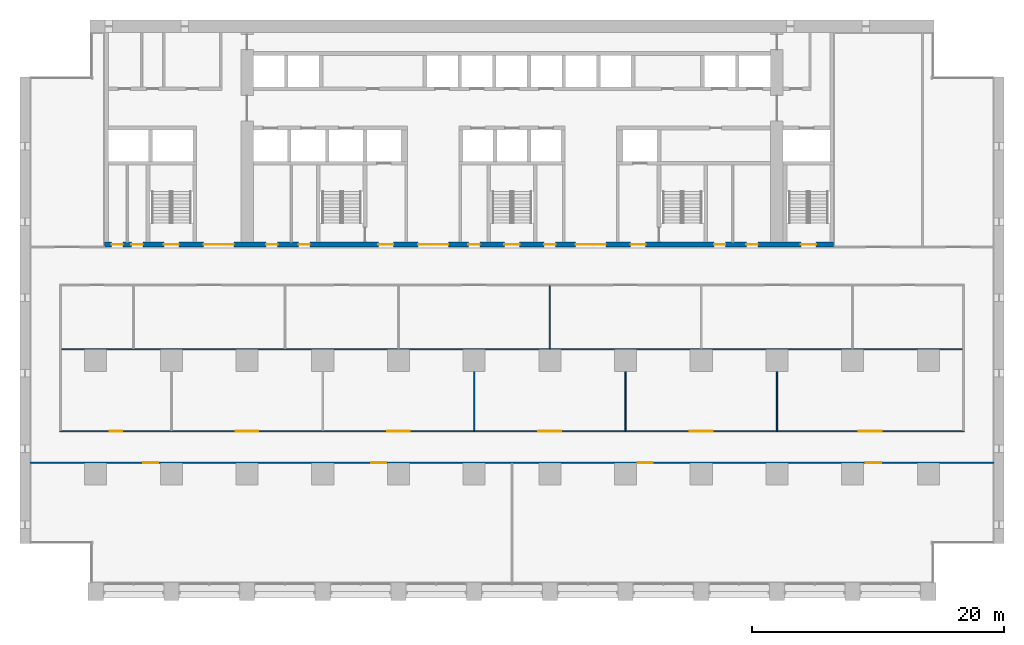
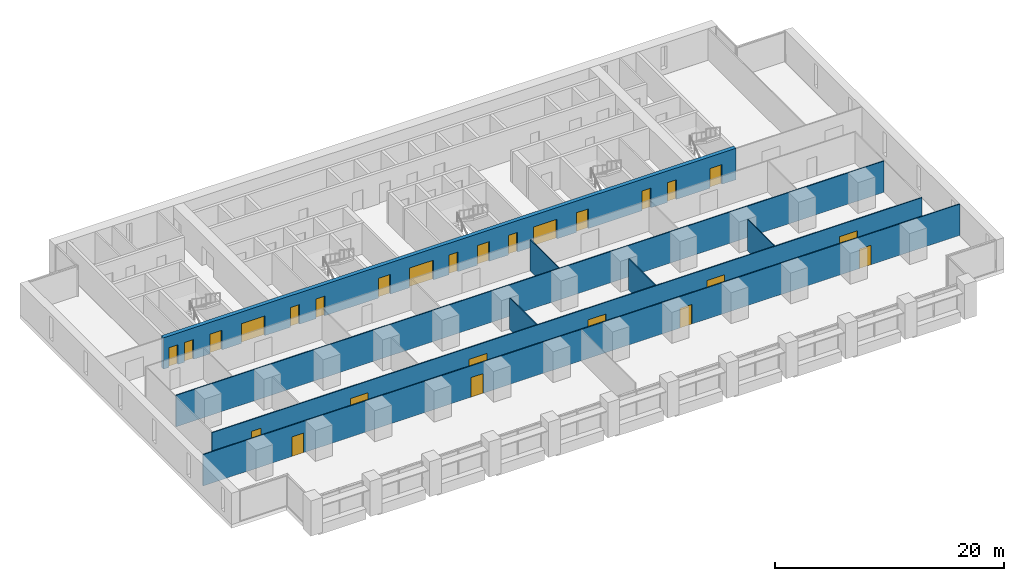
# One storey, part 9 of 18: 26 doors, 8 walls, 26 openings.
"""IFC4 building model written with IfcOpenShell, lengths in metres."""

from ifc_helpers import new_model, si_unit, direction, frame, frame_2d, origin, place, context, subcontext, project, spatial, rectangle, extrude, material, layer, layer_set, type_object, element, fill, save


model = new_model("IFC4")

# Units and contexts
model_context = context("Model", 3, precision=1e-05, world=origin(), true_north=direction((0.0, 1.0)))
body_context = subcontext(model_context, "Body", "Model", "MODEL_VIEW")
ifc_project = project(units=[si_unit("LENGTHUNIT", "METRE"), si_unit("AREAUNIT", "SQUARE_METRE"), si_unit("VOLUMEUNIT", "CUBIC_METRE"), si_unit("PLANEANGLEUNIT", "RADIAN"), si_unit("MASSUNIT", "GRAM", prefix="KILO")], contexts=[model_context])

# Site, building, storey
site_placement = place(None, origin())
site = spatial("IfcSite", under=ifc_project, at=site_placement, CompositionType="ELEMENT")
building_placement = place(site_placement, origin())
building = spatial("IfcBuilding", under=site, at=building_placement, Name="Calvaro Tower", CompositionType="ELEMENT")
storey_placement = place(building_placement, frame((0.0, 0.0, 41.25)))
storey = spatial("IfcBuildingStorey", under=building, at=storey_placement, Name="L09", CompositionType="ELEMENT", Elevation=41.25)

# Wall, openings, doors
ifc_material_1 = material(Name="Concrete C80/95", Category="concrete")
ifc_layer_1 = layer(ifc_material_1, 0.39990234375)
ifc_layer_set_1 = layer_set([ifc_layer_1], Name="Concrete C80/95")
wall_type_1 = type_object("IfcWallType", Name="Core wall C80/95 400", PredefinedType="SHEAR", material=ifc_layer_set_1)
wall_1_placement = place(storey_placement, frame((6.699951171875, 28.199951171875, 0.0), z_axis=(0.0, 0.0, 1.0), x_axis=(1.0, 0.0, 0.0)))
wall_1 = element("IfcWall", 1, at=wall_1_placement, inside=storey, type_object=wall_type_1, Name="Core wall, front", PredefinedType="SHEAR", context=body_context, shape_type="SweptSolid", body=[
    extrude(rectangle(XDim=57.800048828125, YDim=0.39990234375, at=frame_2d((28.89990234375, 0.0))), origin(), (0.0, 0.0, 1.0), 3.35009765625),
])
opening_1_placement = place(wall_1_placement, frame((12.8125, 0.0, 0.0)))
opening_1 = element("IfcOpeningElement", 2, at=opening_1_placement, cuts=wall_1, Name="Opening RD9E", PredefinedType="OPENING", context=body_context, shape_type="SweptSolid", body=[
    extrude(rectangle(XDim=0.89990234375, YDim=2.10009765625, at=frame_2d((0.449951171875, 1.050048828125))), frame((0.0, 0.2099609375, 0.0), z_axis=(0.0, -1.0, 0.0), x_axis=(1.0, 0.0, 0.0)), (0.0, 0.0, 1.0), 0.419921875),
])
opening_2_placement = place(wall_1_placement, frame((15.387451171875, 0.0, 0.0)))
opening_2 = element("IfcOpeningElement", 3, at=opening_2_placement, cuts=wall_1, Name="Opening RD9E", PredefinedType="OPENING", context=body_context, shape_type="SweptSolid", body=[
    extrude(rectangle(XDim=0.89990234375, YDim=2.10009765625, at=frame_2d((0.449951171875, 1.050048828125))), frame((0.0, 0.2099609375, 0.0), z_axis=(0.0, -1.0, 0.0), x_axis=(1.0, 0.0, 0.0)), (0.0, 0.0, 1.0), 0.419921875),
])
opening_3_placement = place(wall_1_placement, frame((48.3125, 0.0, 0.0)))
opening_3 = element("IfcOpeningElement", 4, at=opening_3_placement, cuts=wall_1, Name="Opening RD9E", PredefinedType="OPENING", context=body_context, shape_type="SweptSolid", body=[
    extrude(rectangle(XDim=0.89990234375, YDim=2.10009765625, at=frame_2d((0.449951171875, 1.050048828125))), frame((0.0, 0.2099609375, 0.0), z_axis=(0.0, -1.0, 0.0), x_axis=(1.0, 0.0, 0.0)), (0.0, 0.0, 1.0), 0.419921875),
])
opening_4_placement = place(wall_1_placement, frame((50.887451171875, 0.0, 0.0)))
opening_4 = element("IfcOpeningElement", 5, at=opening_4_placement, cuts=wall_1, Name="Opening RD9E", PredefinedType="OPENING", context=body_context, shape_type="SweptSolid", body=[
    extrude(rectangle(XDim=0.89990234375, YDim=2.10009765625, at=frame_2d((0.449951171875, 1.050048828125))), frame((0.0, 0.2099609375, 0.0), z_axis=(0.0, -1.0, 0.0), x_axis=(1.0, 0.0, 0.0)), (0.0, 0.0, 1.0), 0.419921875),
])
opening_5_placement = place(wall_1_placement, frame((0.5625, 0.0, 0.0)))
opening_5 = element("IfcOpeningElement", 6, at=opening_5_placement, cuts=wall_1, Name="Opening RD9E", PredefinedType="OPENING", context=body_context, shape_type="SweptSolid", body=[
    extrude(rectangle(XDim=0.89990234375, YDim=2.10009765625, at=frame_2d((0.449951171875, 1.050048828125))), frame((0.0, 0.2099609375, 0.0), z_axis=(0.0, -1.0, 0.0), x_axis=(1.0, 0.0, 0.0)), (0.0, 0.0, 1.0), 0.419921875),
])
opening_6_placement = place(wall_1_placement, frame((2.137451171875, 0.0, 0.0)))
opening_6 = element("IfcOpeningElement", 7, at=opening_6_placement, cuts=wall_1, Name="Opening RD9C", PredefinedType="OPENING", context=body_context, shape_type="SweptSolid", body=[
    extrude(rectangle(XDim=0.89990234375, YDim=2.10009765625, at=frame_2d((0.449951171875, 1.050048828125))), frame((0.0, 0.2099609375, 0.0), z_axis=(0.0, -1.0, 0.0), x_axis=(1.0, 0.0, 0.0)), (0.0, 0.0, 1.0), 0.419921875),
])
opening_7_placement = place(wall_1_placement, frame((4.699951171875, 0.0, 0.0)))
opening_7 = element("IfcOpeningElement", 8, at=opening_7_placement, cuts=wall_1, Name="Opening SD12D", PredefinedType="OPENING", context=body_context, shape_type="SweptSolid", body=[
    extrude(rectangle(XDim=1.199951171875, YDim=2.10009765625, at=frame_2d((0.60009765625, 1.050048828125))), frame((0.0, 0.2099609375, 0.0), z_axis=(0.0, -1.0, 0.0), x_axis=(1.0, 0.0, 0.0)), (0.0, 0.0, 1.0), 0.419921875),
])
opening_8_placement = place(wall_1_placement, frame((31.699951171875, 0.0, 0.0)))
opening_8 = element("IfcOpeningElement", 9, at=opening_8_placement, cuts=wall_1, Name="Opening SD12D", PredefinedType="OPENING", context=body_context, shape_type="SweptSolid", body=[
    extrude(rectangle(XDim=1.199951171875, YDim=2.10009765625, at=frame_2d((0.60009765625, 1.050048828125))), frame((0.0, 0.2099609375, 0.0), z_axis=(0.0, -1.0, 0.0), x_axis=(1.0, 0.0, 0.0)), (0.0, 0.0, 1.0), 0.419921875),
])
opening_9_placement = place(wall_1_placement, frame((55.199951171875, 0.0, 0.0)))
opening_9 = element("IfcOpeningElement", 10, at=opening_9_placement, cuts=wall_1, Name="Opening SD12D", PredefinedType="OPENING", context=body_context, shape_type="SweptSolid", body=[
    extrude(rectangle(XDim=1.199951171875, YDim=2.10009765625, at=frame_2d((0.60009765625, 1.050048828125))), frame((0.0, 0.2099609375, 0.0), z_axis=(0.0, -1.0, 0.0), x_axis=(1.0, 0.0, 0.0)), (0.0, 0.0, 1.0), 0.419921875),
])
opening_10_placement = place(wall_1_placement, frame((21.699951171875, 0.0, 0.0)))
opening_10 = element("IfcOpeningElement", 11, at=opening_10_placement, cuts=wall_1, Name="Opening FD12F", PredefinedType="OPENING", context=body_context, shape_type="SweptSolid", body=[
    extrude(rectangle(XDim=1.199951171875, YDim=2.10009765625, at=frame_2d((0.60009765625, 1.050048828125))), frame((0.0, 0.2099609375, 0.0), z_axis=(0.0, -1.0, 0.0), x_axis=(1.0, 0.0, 0.0)), (0.0, 0.0, 1.0), 0.419921875),
])
opening_11_placement = place(wall_1_placement, frame((41.699951171875, 0.0, 0.0)))
opening_11 = element("IfcOpeningElement", 12, at=opening_11_placement, cuts=wall_1, Name="Opening FD12F", PredefinedType="OPENING", context=body_context, shape_type="SweptSolid", body=[
    extrude(rectangle(XDim=1.199951171875, YDim=2.10009765625, at=frame_2d((0.60009765625, 1.050048828125))), frame((0.0, 0.2099609375, 0.0), z_axis=(0.0, -1.0, 0.0), x_axis=(1.0, 0.0, 0.0)), (0.0, 0.0, 1.0), 0.419921875),
])
opening_12_placement = place(wall_1_placement, frame((24.85009765625, 0.0, 0.0)))
opening_12 = element("IfcOpeningElement", 13, at=opening_12_placement, cuts=wall_1, Name="Opening DD24D", PredefinedType="OPENING", context=body_context, shape_type="SweptSolid", body=[
    extrude(rectangle(XDim=2.39990234375, YDim=2.10009765625, at=frame_2d((1.199951171875, 1.050048828125))), frame((0.0, 0.2099609375, 0.0), z_axis=(0.0, -1.0, 0.0), x_axis=(1.0, 0.0, 0.0)), (0.0, 0.0, 1.0), 0.419921875),
])
opening_13_placement = place(wall_1_placement, frame((37.35009765625, 0.0, 0.0)))
opening_13 = element("IfcOpeningElement", 14, at=opening_13_placement, cuts=wall_1, Name="Opening DD24D", PredefinedType="OPENING", context=body_context, shape_type="SweptSolid", body=[
    extrude(rectangle(XDim=2.39990234375, YDim=2.10009765625, at=frame_2d((1.199951171875, 1.050048828125))), frame((0.0, 0.2099609375, 0.0), z_axis=(0.0, -1.0, 0.0), x_axis=(1.0, 0.0, 0.0)), (0.0, 0.0, 1.0), 0.419921875),
])
opening_14_placement = place(wall_1_placement, frame((7.85009765625, 0.0, 0.0)))
opening_14 = element("IfcOpeningElement", 15, at=opening_14_placement, cuts=wall_1, Name="Opening DD24D", PredefinedType="OPENING", context=body_context, shape_type="SweptSolid", body=[
    extrude(rectangle(XDim=2.39990234375, YDim=2.10009765625, at=frame_2d((1.199951171875, 1.050048828125))), frame((0.0, 0.2099609375, 0.0), z_axis=(0.0, -1.0, 0.0), x_axis=(1.0, 0.0, 0.0)), (0.0, 0.0, 1.0), 0.419921875),
])
opening_15_placement = place(wall_1_placement, frame((28.85009765625, 0.0, 0.0)))
opening_15 = element("IfcOpeningElement", 16, at=opening_15_placement, cuts=wall_1, Name="Opening RD9E", PredefinedType="OPENING", context=body_context, shape_type="SweptSolid", body=[
    extrude(rectangle(XDim=0.89990234375, YDim=2.10009765625, at=frame_2d((0.449951171875, 1.050048828125))), frame((0.0, 0.2099609375, 0.0), z_axis=(0.0, -1.0, 0.0), x_axis=(1.0, 0.0, 0.0)), (0.0, 0.0, 1.0), 0.419921875),
])
opening_16_placement = place(wall_1_placement, frame((34.85009765625, 0.0, 0.0)))
opening_16 = element("IfcOpeningElement", 17, at=opening_16_placement, cuts=wall_1, Name="Opening RD9E", PredefinedType="OPENING", context=body_context, shape_type="SweptSolid", body=[
    extrude(rectangle(XDim=0.89990234375, YDim=2.10009765625, at=frame_2d((0.449951171875, 1.050048828125))), frame((0.0, 0.2099609375, 0.0), z_axis=(0.0, -1.0, 0.0), x_axis=(1.0, 0.0, 0.0)), (0.0, 0.0, 1.0), 0.419921875),
])
ifc_material_2 = material(Name="Steel door set", Category="steel")
door_type_1 = type_object("IfcDoorType", Name="Fire door 1200 FD60S", OperationType="SINGLE_SWING_LEFT", PredefinedType="DOOR", material=ifc_material_2)
door_1_placement = place(opening_10_placement, origin())
door_1 = element("IfcDoor", 18, at=door_1_placement, inside=storey, type_object=door_type_1, Name="Fire door", OperationType="SINGLE_SWING_LEFT", OverallHeight=2.10009765625, OverallWidth=1.199951171875, PredefinedType="DOOR", context=body_context, shape_type="SweptSolid", body=[
    extrude(rectangle(XDim=1.199951171875, YDim=2.10009765625, at=frame_2d((0.60009765625, 1.050048828125))), frame((0.0, 0.02490234375, 0.0), z_axis=(0.0, -1.0, 0.0), x_axis=(1.0, 0.0, 0.0)), (0.0, 0.0, 1.0), 0.050048828125),
])
fill(opening_10, door_1)
door_2_placement = place(opening_11_placement, origin())
door_2 = element("IfcDoor", 19, at=door_2_placement, inside=storey, type_object=door_type_1, Name="Fire door", OperationType="SINGLE_SWING_LEFT", OverallHeight=2.10009765625, OverallWidth=1.199951171875, PredefinedType="DOOR", context=body_context, shape_type="SweptSolid", body=[
    extrude(rectangle(XDim=1.199951171875, YDim=2.10009765625, at=frame_2d((0.60009765625, 1.050048828125))), frame((0.0, 0.02490234375, 0.0), z_axis=(0.0, -1.0, 0.0), x_axis=(1.0, 0.0, 0.0)), (0.0, 0.0, 1.0), 0.050048828125),
])
fill(opening_11, door_2)
ifc_material_3 = material(Name="Steel door set", Category="steel")
door_type_2 = type_object("IfcDoorType", Name="Lobby double door 2400 FD30S", OperationType="DOUBLE_DOOR_SINGLE_SWING", PredefinedType="DOOR", material=ifc_material_3)
door_3_placement = place(opening_12_placement, origin())
door_3 = element("IfcDoor", 20, at=door_3_placement, inside=storey, type_object=door_type_2, Name="Lobby double door", OperationType="DOUBLE_DOOR_SINGLE_SWING", OverallHeight=2.10009765625, OverallWidth=2.39990234375, PredefinedType="DOOR", context=body_context, shape_type="SweptSolid", body=[
    extrude(rectangle(XDim=2.39990234375, YDim=2.10009765625, at=frame_2d((1.199951171875, 1.050048828125))), frame((0.0, 0.02490234375, 0.0), z_axis=(0.0, -1.0, 0.0), x_axis=(1.0, 0.0, 0.0)), (0.0, 0.0, 1.0), 0.050048828125),
])
fill(opening_12, door_3)
door_4_placement = place(opening_13_placement, origin())
door_4 = element("IfcDoor", 21, at=door_4_placement, inside=storey, type_object=door_type_2, Name="Lobby double door", OperationType="DOUBLE_DOOR_SINGLE_SWING", OverallHeight=2.10009765625, OverallWidth=2.39990234375, PredefinedType="DOOR", context=body_context, shape_type="SweptSolid", body=[
    extrude(rectangle(XDim=2.39990234375, YDim=2.10009765625, at=frame_2d((1.199951171875, 1.050048828125))), frame((0.0, 0.02490234375, 0.0), z_axis=(0.0, -1.0, 0.0), x_axis=(1.0, 0.0, 0.0)), (0.0, 0.0, 1.0), 0.050048828125),
])
fill(opening_13, door_4)
door_5_placement = place(opening_14_placement, origin())
door_5 = element("IfcDoor", 22, at=door_5_placement, inside=storey, type_object=door_type_2, Name="Lobby double door", OperationType="DOUBLE_DOOR_SINGLE_SWING", OverallHeight=2.10009765625, OverallWidth=2.39990234375, PredefinedType="DOOR", context=body_context, shape_type="SweptSolid", body=[
    extrude(rectangle(XDim=2.39990234375, YDim=2.10009765625, at=frame_2d((1.199951171875, 1.050048828125))), frame((0.0, 0.02490234375, 0.0), z_axis=(0.0, -1.0, 0.0), x_axis=(1.0, 0.0, 0.0)), (0.0, 0.0, 1.0), 0.050048828125),
])
fill(opening_14, door_5)
ifc_material_4 = material(Name="Steel door set", Category="steel")
door_type_3 = type_object("IfcDoorType", Name="Room door 900 FD30", OperationType="SINGLE_SWING_LEFT", PredefinedType="DOOR", material=ifc_material_4)
door_6_placement = place(opening_6_placement, origin())
door_6 = element("IfcDoor", 23, at=door_6_placement, inside=storey, type_object=door_type_3, Name="Room door", OperationType="SINGLE_SWING_LEFT", OverallHeight=2.10009765625, OverallWidth=0.89990234375, PredefinedType="DOOR", context=body_context, shape_type="SweptSolid", body=[
    extrude(rectangle(XDim=0.89990234375, YDim=2.10009765625, at=frame_2d((0.449951171875, 1.050048828125))), frame((0.0, 0.02490234375, 0.0), z_axis=(0.0, -1.0, 0.0), x_axis=(1.0, 0.0, 0.0)), (0.0, 0.0, 1.0), 0.050048828125),
])
fill(opening_6, door_6)
ifc_material_5 = material(Name="Steel door set", Category="steel")
door_type_4 = type_object("IfcDoorType", Name="Room door 900 FD60", OperationType="SINGLE_SWING_LEFT", PredefinedType="DOOR", material=ifc_material_5)
door_7_placement = place(opening_1_placement, origin())
door_7 = element("IfcDoor", 24, at=door_7_placement, inside=storey, type_object=door_type_4, Name="Room door", OperationType="SINGLE_SWING_LEFT", OverallHeight=2.10009765625, OverallWidth=0.89990234375, PredefinedType="DOOR", context=body_context, shape_type="SweptSolid", body=[
    extrude(rectangle(XDim=0.89990234375, YDim=2.10009765625, at=frame_2d((0.449951171875, 1.050048828125))), frame((0.0, 0.02490234375, 0.0), z_axis=(0.0, -1.0, 0.0), x_axis=(1.0, 0.0, 0.0)), (0.0, 0.0, 1.0), 0.050048828125),
])
fill(opening_1, door_7)
door_8_placement = place(opening_2_placement, origin())
door_8 = element("IfcDoor", 25, at=door_8_placement, inside=storey, type_object=door_type_4, Name="Room door", OperationType="SINGLE_SWING_RIGHT", OverallHeight=2.10009765625, OverallWidth=0.89990234375, PredefinedType="DOOR", context=body_context, shape_type="SweptSolid", body=[
    extrude(rectangle(XDim=0.89990234375, YDim=2.10009765625, at=frame_2d((0.449951171875, 1.050048828125))), frame((0.0, 0.02490234375, 0.0), z_axis=(0.0, -1.0, 0.0), x_axis=(1.0, 0.0, 0.0)), (0.0, 0.0, 1.0), 0.050048828125),
])
fill(opening_2, door_8)
door_9_placement = place(opening_3_placement, origin())
door_9 = element("IfcDoor", 26, at=door_9_placement, inside=storey, type_object=door_type_4, Name="Room door", OperationType="SINGLE_SWING_LEFT", OverallHeight=2.10009765625, OverallWidth=0.89990234375, PredefinedType="DOOR", context=body_context, shape_type="SweptSolid", body=[
    extrude(rectangle(XDim=0.89990234375, YDim=2.10009765625, at=frame_2d((0.449951171875, 1.050048828125))), frame((0.0, 0.02490234375, 0.0), z_axis=(0.0, -1.0, 0.0), x_axis=(1.0, 0.0, 0.0)), (0.0, 0.0, 1.0), 0.050048828125),
])
fill(opening_3, door_9)
door_10_placement = place(opening_4_placement, origin())
door_10 = element("IfcDoor", 27, at=door_10_placement, inside=storey, type_object=door_type_4, Name="Room door", OperationType="SINGLE_SWING_LEFT", OverallHeight=2.10009765625, OverallWidth=0.89990234375, PredefinedType="DOOR", context=body_context, shape_type="SweptSolid", body=[
    extrude(rectangle(XDim=0.89990234375, YDim=2.10009765625, at=frame_2d((0.449951171875, 1.050048828125))), frame((0.0, 0.02490234375, 0.0), z_axis=(0.0, -1.0, 0.0), x_axis=(1.0, 0.0, 0.0)), (0.0, 0.0, 1.0), 0.050048828125),
])
fill(opening_4, door_10)
door_11_placement = place(opening_5_placement, origin())
door_11 = element("IfcDoor", 28, at=door_11_placement, inside=storey, type_object=door_type_4, Name="Room door", OperationType="SINGLE_SWING_LEFT", OverallHeight=2.10009765625, OverallWidth=0.89990234375, PredefinedType="DOOR", context=body_context, shape_type="SweptSolid", body=[
    extrude(rectangle(XDim=0.89990234375, YDim=2.10009765625, at=frame_2d((0.449951171875, 1.050048828125))), frame((0.0, 0.02490234375, 0.0), z_axis=(0.0, -1.0, 0.0), x_axis=(1.0, 0.0, 0.0)), (0.0, 0.0, 1.0), 0.050048828125),
])
fill(opening_5, door_11)
door_12_placement = place(opening_15_placement, origin())
door_12 = element("IfcDoor", 29, at=door_12_placement, inside=storey, type_object=door_type_4, Name="Room door", OperationType="SINGLE_SWING_LEFT", OverallHeight=2.10009765625, OverallWidth=0.89990234375, PredefinedType="DOOR", context=body_context, shape_type="SweptSolid", body=[
    extrude(rectangle(XDim=0.89990234375, YDim=2.10009765625, at=frame_2d((0.449951171875, 1.050048828125))), frame((0.0, 0.02490234375, 0.0), z_axis=(0.0, -1.0, 0.0), x_axis=(1.0, 0.0, 0.0)), (0.0, 0.0, 1.0), 0.050048828125),
])
fill(opening_15, door_12)
door_13_placement = place(opening_16_placement, origin())
door_13 = element("IfcDoor", 30, at=door_13_placement, inside=storey, type_object=door_type_4, Name="Room door", OperationType="SINGLE_SWING_LEFT", OverallHeight=2.10009765625, OverallWidth=0.89990234375, PredefinedType="DOOR", context=body_context, shape_type="SweptSolid", body=[
    extrude(rectangle(XDim=0.89990234375, YDim=2.10009765625, at=frame_2d((0.449951171875, 1.050048828125))), frame((0.0, 0.02490234375, 0.0), z_axis=(0.0, -1.0, 0.0), x_axis=(1.0, 0.0, 0.0)), (0.0, 0.0, 1.0), 0.050048828125),
])
fill(opening_16, door_13)
ifc_material_6 = material(Name="Steel door set", Category="steel")
door_type_5 = type_object("IfcDoorType", Name="Stair door 1200 FD30S", OperationType="SINGLE_SWING_LEFT", PredefinedType="DOOR", material=ifc_material_6)
door_14_placement = place(opening_7_placement, origin())
door_14 = element("IfcDoor", 31, at=door_14_placement, inside=storey, type_object=door_type_5, Name="Stair door", OperationType="SINGLE_SWING_LEFT", OverallHeight=2.10009765625, OverallWidth=1.199951171875, PredefinedType="DOOR", context=body_context, shape_type="SweptSolid", body=[
    extrude(rectangle(XDim=1.199951171875, YDim=2.10009765625, at=frame_2d((0.60009765625, 1.050048828125))), frame((0.0, 0.02490234375, 0.0), z_axis=(0.0, -1.0, 0.0), x_axis=(1.0, 0.0, 0.0)), (0.0, 0.0, 1.0), 0.050048828125),
])
fill(opening_7, door_14)
door_15_placement = place(opening_8_placement, origin())
door_15 = element("IfcDoor", 32, at=door_15_placement, inside=storey, type_object=door_type_5, Name="Stair door", OperationType="SINGLE_SWING_LEFT", OverallHeight=2.10009765625, OverallWidth=1.199951171875, PredefinedType="DOOR", context=body_context, shape_type="SweptSolid", body=[
    extrude(rectangle(XDim=1.199951171875, YDim=2.10009765625, at=frame_2d((0.60009765625, 1.050048828125))), frame((0.0, 0.02490234375, 0.0), z_axis=(0.0, -1.0, 0.0), x_axis=(1.0, 0.0, 0.0)), (0.0, 0.0, 1.0), 0.050048828125),
])
fill(opening_8, door_15)
door_16_placement = place(opening_9_placement, origin())
door_16 = element("IfcDoor", 33, at=door_16_placement, inside=storey, type_object=door_type_5, Name="Stair door", OperationType="SINGLE_SWING_LEFT", OverallHeight=2.10009765625, OverallWidth=1.199951171875, PredefinedType="DOOR", context=body_context, shape_type="SweptSolid", body=[
    extrude(rectangle(XDim=1.199951171875, YDim=2.10009765625, at=frame_2d((0.60009765625, 1.050048828125))), frame((0.0, 0.02490234375, 0.0), z_axis=(0.0, -1.0, 0.0), x_axis=(1.0, 0.0, 0.0)), (0.0, 0.0, 1.0), 0.050048828125),
])
fill(opening_9, door_16)

ifc_material_7 = material(Name="Plasterboard on steel studs", Category="steel")
ifc_layer_2 = layer(ifc_material_7, 0.10009765625)
ifc_layer_set_2 = layer_set([ifc_layer_2], Name="Plasterboard on steel studs")
wall_type_2 = type_object("IfcWallType", Name="Partition 100", PredefinedType="PARTITIONING", material=ifc_layer_set_2)
wall_2_placement = place(storey_placement, frame((0.800048828125, 10.89990234375, 0.0), z_axis=(0.0, 0.0, 1.0), x_axis=(1.0, 0.0, 0.0)))
wall_2 = element("IfcWall", 34, at=wall_2_placement, inside=storey, type_object=wall_type_2, Name="Partition T09.W001", PredefinedType="PARTITIONING", context=body_context, shape_type="SweptSolid", body=[
    extrude(rectangle(XDim=76.39990234375, YDim=0.10009765625, at=frame_2d((38.199951171875, 0.0))), origin(), (0.0, 0.0, 1.0), 3.35009765625),
])
opening_17_placement = place(wall_2_placement, frame((8.949951171875, 0.0, 0.0)))
opening_17 = element("IfcOpeningElement", 35, at=opening_17_placement, cuts=wall_2, Name="Opening T09.001", PredefinedType="OPENING", context=body_context, shape_type="SweptSolid", body=[
    extrude(rectangle(XDim=1.199951171875, YDim=2.10009765625, at=frame_2d((0.60009765625, 1.050048828125))), frame((0.0, 0.06005859375, 0.0), z_axis=(0.0, -1.0, 0.0), x_axis=(1.0, 0.0, 0.0)), (0.0, 0.0, 1.0), 0.1201171875),
])
opening_18_placement = place(wall_2_placement, frame((27.050048828125, 0.0, 0.0)))
opening_18 = element("IfcOpeningElement", 36, at=opening_18_placement, cuts=wall_2, Name="Opening T09.002", PredefinedType="OPENING", context=body_context, shape_type="SweptSolid", body=[
    extrude(rectangle(XDim=1.199951171875, YDim=2.10009765625, at=frame_2d((0.60009765625, 1.050048828125))), frame((0.0, 0.06005859375, 0.0), z_axis=(0.0, -1.0, 0.0), x_axis=(1.0, 0.0, 0.0)), (0.0, 0.0, 1.0), 0.1201171875),
])
opening_19_placement = place(wall_2_placement, frame((48.14990234375, 0.0, 0.0)))
opening_19 = element("IfcOpeningElement", 37, at=opening_19_placement, cuts=wall_2, Name="Opening T09.003", PredefinedType="OPENING", context=body_context, shape_type="SweptSolid", body=[
    extrude(rectangle(XDim=1.199951171875, YDim=2.10009765625, at=frame_2d((0.60009765625, 1.050048828125))), frame((0.0, 0.06005859375, 0.0), z_axis=(0.0, -1.0, 0.0), x_axis=(1.0, 0.0, 0.0)), (0.0, 0.0, 1.0), 0.1201171875),
])
opening_20_placement = place(wall_2_placement, frame((66.25, 0.0, 0.0)))
opening_20 = element("IfcOpeningElement", 38, at=opening_20_placement, cuts=wall_2, Name="Opening T09.004", PredefinedType="OPENING", context=body_context, shape_type="SweptSolid", body=[
    extrude(rectangle(XDim=1.199951171875, YDim=2.10009765625, at=frame_2d((0.60009765625, 1.050048828125))), frame((0.0, 0.06005859375, 0.0), z_axis=(0.0, -1.0, 0.0), x_axis=(1.0, 0.0, 0.0)), (0.0, 0.0, 1.0), 0.1201171875),
])
ifc_material_8 = material(Name="Timber", Category="wood")
door_type_6 = type_object("IfcDoorType", Name="Internal single door 1200 x 2100", OperationType="SINGLE_SWING_LEFT", PredefinedType="DOOR", material=ifc_material_8)
door_17_placement = place(opening_17_placement, origin())
door_17 = element("IfcDoor", 39, at=door_17_placement, inside=storey, type_object=door_type_6, Name="Door T09.001", OperationType="SINGLE_SWING_LEFT", OverallHeight=2.10009765625, OverallWidth=1.199951171875, PredefinedType="DOOR", context=body_context, shape_type="SweptSolid", body=[
    extrude(rectangle(XDim=1.199951171875, YDim=2.10009765625, at=frame_2d((0.60009765625, 1.050048828125))), frame((0.0, 0.02490234375, 0.0), z_axis=(0.0, -1.0, 0.0), x_axis=(1.0, 0.0, 0.0)), (0.0, 0.0, 1.0), 0.050048828125),
])
fill(opening_17, door_17)
door_18_placement = place(opening_18_placement, origin())
door_18 = element("IfcDoor", 40, at=door_18_placement, inside=storey, type_object=door_type_6, Name="Door T09.002", OperationType="SINGLE_SWING_LEFT", OverallHeight=2.10009765625, OverallWidth=1.199951171875, PredefinedType="DOOR", context=body_context, shape_type="SweptSolid", body=[
    extrude(rectangle(XDim=1.199951171875, YDim=2.10009765625, at=frame_2d((0.60009765625, 1.050048828125))), frame((0.0, 0.02490234375, 0.0), z_axis=(0.0, -1.0, 0.0), x_axis=(1.0, 0.0, 0.0)), (0.0, 0.0, 1.0), 0.050048828125),
])
fill(opening_18, door_18)
door_19_placement = place(opening_19_placement, origin())
door_19 = element("IfcDoor", 41, at=door_19_placement, inside=storey, type_object=door_type_6, Name="Door T09.003", OperationType="SINGLE_SWING_RIGHT", OverallHeight=2.10009765625, OverallWidth=1.199951171875, PredefinedType="DOOR", context=body_context, shape_type="SweptSolid", body=[
    extrude(rectangle(XDim=1.199951171875, YDim=2.10009765625, at=frame_2d((0.60009765625, 1.050048828125))), frame((0.0, 0.02490234375, 0.0), z_axis=(0.0, -1.0, 0.0), x_axis=(1.0, 0.0, 0.0)), (0.0, 0.0, 1.0), 0.050048828125),
])
fill(opening_19, door_19)
door_20_placement = place(opening_20_placement, origin())
door_20 = element("IfcDoor", 42, at=door_20_placement, inside=storey, type_object=door_type_6, Name="Door T09.004", OperationType="SINGLE_SWING_RIGHT", OverallHeight=2.10009765625, OverallWidth=1.199951171875, PredefinedType="DOOR", context=body_context, shape_type="SweptSolid", body=[
    extrude(rectangle(XDim=1.199951171875, YDim=2.10009765625, at=frame_2d((0.60009765625, 1.050048828125))), frame((0.0, 0.02490234375, 0.0), z_axis=(0.0, -1.0, 0.0), x_axis=(1.0, 0.0, 0.0)), (0.0, 0.0, 1.0), 0.050048828125),
])
fill(opening_20, door_20)

wall_3_placement = place(storey_placement, frame((3.14990234375, 13.39990234375, 0.0), z_axis=(0.0, 0.0, 1.0), x_axis=(1.0, 0.0, 0.0)))
wall_3 = element("IfcWall", 43, at=wall_3_placement, inside=storey, type_object=wall_type_2, Name="Partition T09.W002", PredefinedType="PARTITIONING", context=body_context, shape_type="SweptSolid", body=[
    extrude(rectangle(XDim=71.7001953125, YDim=0.10009765625, at=frame_2d((35.85009765625, 0.0))), origin(), (0.0, 0.0, 1.0), 3.35009765625),
])
opening_21_placement = place(wall_3_placement, frame((3.949951171875, 0.0, 0.0)))
opening_21 = element("IfcOpeningElement", 44, at=opening_21_placement, cuts=wall_3, Name="Opening T09.005", PredefinedType="OPENING", context=body_context, shape_type="SweptSolid", body=[
    extrude(rectangle(XDim=1.0, YDim=2.10009765625, at=frame_2d((0.5, 1.050048828125))), frame((0.0, 0.06005859375, 0.0), z_axis=(0.0, -1.0, 0.0), x_axis=(1.0, 0.0, 0.0)), (0.0, 0.0, 1.0), 0.1201171875),
])
opening_22_placement = place(wall_3_placement, frame((63.35009765625, 0.0, 0.0)))
opening_22 = element("IfcOpeningElement", 45, at=opening_22_placement, cuts=wall_3, Name="Opening T09.006", PredefinedType="OPENING", context=body_context, shape_type="SweptSolid", body=[
    extrude(rectangle(XDim=1.800048828125, YDim=2.10009765625, at=frame_2d((0.89990234375, 1.050048828125))), frame((0.0, 0.06005859375, 0.0), z_axis=(0.0, -1.0, 0.0), x_axis=(1.0, 0.0, 0.0)), (0.0, 0.0, 1.0), 0.1201171875),
])
opening_23_placement = place(wall_3_placement, frame((13.949951171875, 0.0, 0.0)))
opening_23 = element("IfcOpeningElement", 46, at=opening_23_placement, cuts=wall_3, Name="Opening T09.007", PredefinedType="OPENING", context=body_context, shape_type="SweptSolid", body=[
    extrude(rectangle(XDim=1.800048828125, YDim=2.10009765625, at=frame_2d((0.89990234375, 1.050048828125))), frame((0.0, 0.06005859375, 0.0), z_axis=(0.0, -1.0, 0.0), x_axis=(1.0, 0.0, 0.0)), (0.0, 0.0, 1.0), 0.1201171875),
])
opening_24_placement = place(wall_3_placement, frame((25.949951171875, 0.0, 0.0)))
opening_24 = element("IfcOpeningElement", 47, at=opening_24_placement, cuts=wall_3, Name="Opening T09.008", PredefinedType="OPENING", context=body_context, shape_type="SweptSolid", body=[
    extrude(rectangle(XDim=1.800048828125, YDim=2.10009765625, at=frame_2d((0.89990234375, 1.050048828125))), frame((0.0, 0.06005859375, 0.0), z_axis=(0.0, -1.0, 0.0), x_axis=(1.0, 0.0, 0.0)), (0.0, 0.0, 1.0), 0.1201171875),
])
opening_25_placement = place(wall_3_placement, frame((37.949951171875, 0.0, 0.0)))
opening_25 = element("IfcOpeningElement", 48, at=opening_25_placement, cuts=wall_3, Name="Opening T09.009", PredefinedType="OPENING", context=body_context, shape_type="SweptSolid", body=[
    extrude(rectangle(XDim=1.800048828125, YDim=2.10009765625, at=frame_2d((0.89990234375, 1.050048828125))), frame((0.0, 0.06005859375, 0.0), z_axis=(0.0, -1.0, 0.0), x_axis=(1.0, 0.0, 0.0)), (0.0, 0.0, 1.0), 0.1201171875),
])
opening_26_placement = place(wall_3_placement, frame((49.949951171875, 0.0, 0.0)))
opening_26 = element("IfcOpeningElement", 49, at=opening_26_placement, cuts=wall_3, Name="Opening T09.010", PredefinedType="OPENING", context=body_context, shape_type="SweptSolid", body=[
    extrude(rectangle(XDim=1.800048828125, YDim=2.10009765625, at=frame_2d((0.89990234375, 1.050048828125))), frame((0.0, 0.06005859375, 0.0), z_axis=(0.0, -1.0, 0.0), x_axis=(1.0, 0.0, 0.0)), (0.0, 0.0, 1.0), 0.1201171875),
])
ifc_material_9 = material(Name="Timber", Category="wood")
door_type_7 = type_object("IfcDoorType", Name="Internal double door 1800 x 2100", OperationType="DOUBLE_DOOR_SINGLE_SWING", PredefinedType="DOOR", material=ifc_material_9)
door_21_placement = place(opening_22_placement, origin())
door_21 = element("IfcDoor", 50, at=door_21_placement, inside=storey, type_object=door_type_7, Name="Door T09.006", OperationType="DOUBLE_DOOR_SINGLE_SWING", OverallHeight=2.10009765625, OverallWidth=1.800048828125, PredefinedType="DOOR", context=body_context, shape_type="SweptSolid", body=[
    extrude(rectangle(XDim=1.800048828125, YDim=2.10009765625, at=frame_2d((0.89990234375, 1.050048828125))), frame((0.0, 0.02490234375, 0.0), z_axis=(0.0, -1.0, 0.0), x_axis=(1.0, 0.0, 0.0)), (0.0, 0.0, 1.0), 0.050048828125),
])
fill(opening_22, door_21)
door_22_placement = place(opening_23_placement, origin())
door_22 = element("IfcDoor", 51, at=door_22_placement, inside=storey, type_object=door_type_7, Name="Door T09.007", OperationType="DOUBLE_DOOR_SINGLE_SWING", OverallHeight=2.10009765625, OverallWidth=1.800048828125, PredefinedType="DOOR", context=body_context, shape_type="SweptSolid", body=[
    extrude(rectangle(XDim=1.800048828125, YDim=2.10009765625, at=frame_2d((0.89990234375, 1.050048828125))), frame((0.0, 0.02490234375, 0.0), z_axis=(0.0, -1.0, 0.0), x_axis=(1.0, 0.0, 0.0)), (0.0, 0.0, 1.0), 0.050048828125),
])
fill(opening_23, door_22)
door_23_placement = place(opening_24_placement, origin())
door_23 = element("IfcDoor", 52, at=door_23_placement, inside=storey, type_object=door_type_7, Name="Door T09.008", OperationType="DOUBLE_DOOR_SINGLE_SWING", OverallHeight=2.10009765625, OverallWidth=1.800048828125, PredefinedType="DOOR", context=body_context, shape_type="SweptSolid", body=[
    extrude(rectangle(XDim=1.800048828125, YDim=2.10009765625, at=frame_2d((0.89990234375, 1.050048828125))), frame((0.0, 0.02490234375, 0.0), z_axis=(0.0, -1.0, 0.0), x_axis=(1.0, 0.0, 0.0)), (0.0, 0.0, 1.0), 0.050048828125),
])
fill(opening_24, door_23)
door_24_placement = place(opening_25_placement, origin())
door_24 = element("IfcDoor", 53, at=door_24_placement, inside=storey, type_object=door_type_7, Name="Door T09.009", OperationType="DOUBLE_DOOR_SINGLE_SWING", OverallHeight=2.10009765625, OverallWidth=1.800048828125, PredefinedType="DOOR", context=body_context, shape_type="SweptSolid", body=[
    extrude(rectangle(XDim=1.800048828125, YDim=2.10009765625, at=frame_2d((0.89990234375, 1.050048828125))), frame((0.0, 0.02490234375, 0.0), z_axis=(0.0, -1.0, 0.0), x_axis=(1.0, 0.0, 0.0)), (0.0, 0.0, 1.0), 0.050048828125),
])
fill(opening_25, door_24)
door_25_placement = place(opening_26_placement, origin())
door_25 = element("IfcDoor", 54, at=door_25_placement, inside=storey, type_object=door_type_7, Name="Door T09.010", OperationType="DOUBLE_DOOR_SINGLE_SWING", OverallHeight=2.10009765625, OverallWidth=1.800048828125, PredefinedType="DOOR", context=body_context, shape_type="SweptSolid", body=[
    extrude(rectangle(XDim=1.800048828125, YDim=2.10009765625, at=frame_2d((0.89990234375, 1.050048828125))), frame((0.0, 0.02490234375, 0.0), z_axis=(0.0, -1.0, 0.0), x_axis=(1.0, 0.0, 0.0)), (0.0, 0.0, 1.0), 0.050048828125),
])
fill(opening_26, door_25)
ifc_material_10 = material(Name="Timber", Category="wood")
door_type_8 = type_object("IfcDoorType", Name="Internal single door 1000 x 2100", OperationType="SINGLE_SWING_LEFT", PredefinedType="DOOR", material=ifc_material_10)
door_26_placement = place(opening_21_placement, origin())
door_26 = element("IfcDoor", 55, at=door_26_placement, inside=storey, type_object=door_type_8, Name="Door T09.005", OperationType="SINGLE_SWING_LEFT", OverallHeight=2.10009765625, OverallWidth=1.0, PredefinedType="DOOR", context=body_context, shape_type="SweptSolid", body=[
    extrude(rectangle(XDim=1.0, YDim=2.10009765625, at=frame_2d((0.5, 1.050048828125))), frame((0.0, 0.02490234375, 0.0), z_axis=(0.0, -1.0, 0.0), x_axis=(1.0, 0.0, 0.0)), (0.0, 0.0, 1.0), 0.050048828125),
])
fill(opening_21, door_26)

# Walls
wall_4_placement = place(storey_placement, frame((3.25, 19.89990234375, 0.0), z_axis=(0.0, 0.0, 1.0), x_axis=(1.0, 0.0, 0.0)))
element("IfcWall", 56, at=wall_4_placement, inside=storey, type_object=wall_type_2, Name="Partition T09.W003", PredefinedType="PARTITIONING", context=body_context, shape_type="SweptSolid", body=[
    extrude(rectangle(XDim=71.5, YDim=0.10009765625, at=frame_2d((35.75, 0.0))), origin(), (0.0, 0.0, 1.0), 3.35009765625),
])
wall_5_placement = place(storey_placement, frame((36.0, 13.449951171875, 0.0), z_axis=(0.0, 0.0, 1.0), x_axis=(0.0, 1.0, 0.0)))
element("IfcWall", 57, at=wall_5_placement, inside=storey, type_object=wall_type_2, Name="Partition T09.W013", PredefinedType="PARTITIONING", context=body_context, shape_type="SweptSolid", body=[
    extrude(rectangle(XDim=4.675048828125, YDim=0.10009765625, at=frame_2d((2.33740234375, 0.0))), origin(), (0.0, 0.0, 1.0), 3.35009765625),
])
wall_6_placement = place(storey_placement, frame((42.0, 19.949951171875, 0.0), z_axis=(0.0, 0.0, 1.0), x_axis=(0.0, 1.0, 0.0)))
element("IfcWall", 58, at=wall_6_placement, inside=storey, type_object=wall_type_2, Name="Partition T09.W015", PredefinedType="PARTITIONING", context=body_context, shape_type="SweptSolid", body=[
    extrude(rectangle(XDim=5.0, YDim=0.10009765625, at=frame_2d((2.5, 0.0))), origin(), (0.0, 0.0, 1.0), 3.35009765625),
])
for number, where, z_axis, x_axis, name in (
    (59, (48.0, 13.449951171875, 0.0), (0.0, 0.0, 1.0), (0.0, 1.0, 0.0), "Partition T09.W016"),
    (60, (60.0, 13.449951171875, 0.0), (0.0, 0.0, 1.0), (0.0, 1.0, 0.0), "Partition T09.W018"),
):
    element("IfcWall", number, at=place(storey_placement, frame(where, z_axis=z_axis, x_axis=x_axis)), inside=storey, type_object=wall_type_2, Name=name, PredefinedType="PARTITIONING", context=body_context, shape_type="SweptSolid", body=[
        extrude(rectangle(XDim=4.675048828125, YDim=0.10009765625, at=frame_2d((2.33740234375, 0.0))), origin(), (0.0, 0.0, 1.0), 3.35009765625),
    ])

save(model, "model.ifc")
